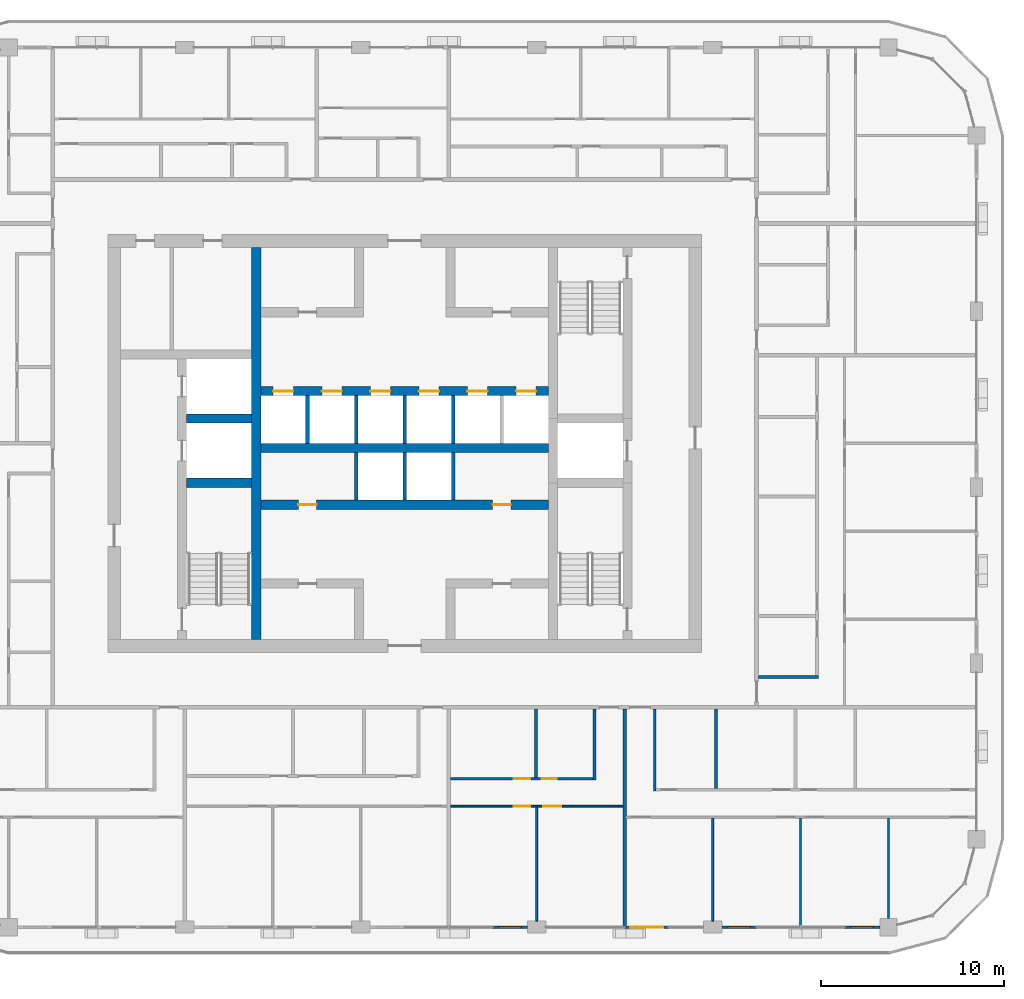
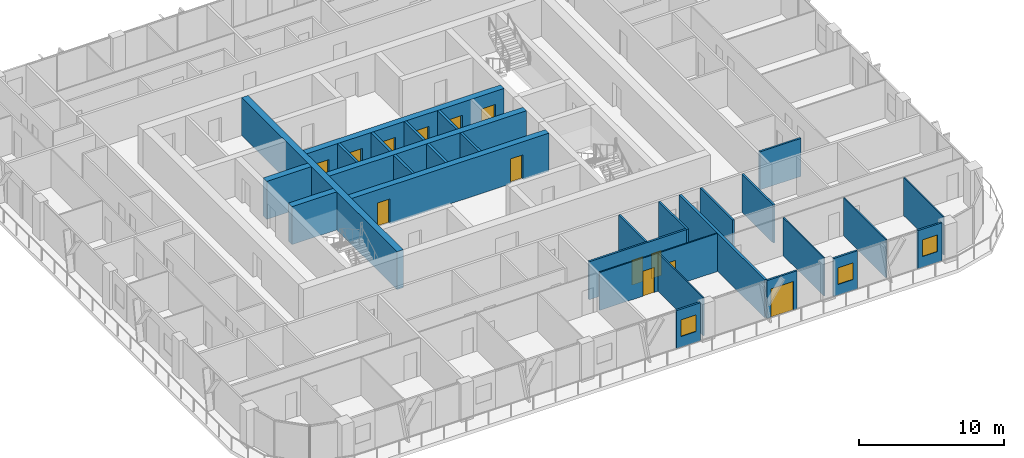
# One storey, part 11 of 21: 29 walls, 13 doors, 3 windows, 16 openings.
"""IFC4 building model written with IfcOpenShell, lengths in metres."""

from ifc_helpers import new_model, si_unit, direction, frame, frame_2d, origin, place, context, subcontext, project, spatial, rectangle, extrude, material, layer, layer_set, type_object, element, fill, save


model = new_model("IFC4")

# Units and contexts
model_context = context("Model", 3, precision=1e-05, world=origin(), true_north=direction((0.0, 1.0)))
body_context = subcontext(model_context, "Body", "Model", "MODEL_VIEW")
ifc_project = project(units=[si_unit("LENGTHUNIT", "METRE"), si_unit("AREAUNIT", "SQUARE_METRE"), si_unit("VOLUMEUNIT", "CUBIC_METRE"), si_unit("PLANEANGLEUNIT", "RADIAN"), si_unit("MASSUNIT", "GRAM", prefix="KILO")], contexts=[model_context])

# Site, building, storey
site_placement = place(None, origin())
site = spatial("IfcSite", under=ifc_project, at=site_placement, CompositionType="ELEMENT")
building_placement = place(site_placement, origin())
building = spatial("IfcBuilding", under=site, at=building_placement, Name="Madar Terraces", CompositionType="ELEMENT")
storey_placement = place(building_placement, frame((0.0, 0.0, 185.89990234375)))
storey = spatial("IfcBuildingStorey", under=building, at=storey_placement, Name="L48", CompositionType="ELEMENT", Elevation=185.89990234375)

# Walls
ifc_material_1 = material(Name="Concrete C60/75", Category="concrete")
ifc_layer_1 = layer(ifc_material_1, 0.5)
ifc_layer_set_1 = layer_set([ifc_layer_1], Name="Concrete C60/75 (CIW4 RC wall 500)")
wall_type_1 = type_object("IfcWallType", Name="CIW4 RC wall 500", PredefinedType="SHEAR", material=ifc_layer_set_1)
wall_1_placement = place(storey_placement, frame((23.10009765625, 15.699951171875, 0.0), z_axis=(0.0, 0.0, 1.0), x_axis=(0.0, 1.0, 0.0)))
element("IfcWall", 1, at=wall_1_placement, inside=storey, type_object=wall_type_1, Name="CORE SHAFT WALL", PredefinedType="SHEAR", context=body_context, shape_type="SweptSolid", body=[
    extrude(rectangle(XDim=21.400146484375, YDim=0.5, at=frame_2d((10.7001953125, 0.0))), origin(), (0.0, 0.0, 1.0), 3.2001953125),
])
for number, where, z_axis, x_axis, name in (
    (2, (19.300048828125, 24.25, 0.0), (0.0, 0.0, 1.0), (1.0, 0.0, 0.0), "CORE SHAFT WALL"),
    (3, (19.300048828125, 27.75, 0.0), (0.0, 0.0, 1.0), (1.0, 0.0, 0.0), "CORE SHAFT WALL"),
):
    element("IfcWall", number, at=place(storey_placement, frame(where, z_axis=z_axis, x_axis=x_axis)), inside=storey, type_object=wall_type_1, Name=name, PredefinedType="SHEAR", context=body_context, shape_type="SweptSolid", body=[
        extrude(rectangle(XDim=3.550048828125, YDim=0.5, at=frame_2d((1.77490234375, 0.0))), origin(), (0.0, 0.0, 1.0), 3.2001953125),
    ])

# Wall, openings, doors
wall_2_placement = place(storey_placement, frame((23.35009765625, 23.050048828125, 0.0), z_axis=(0.0, 0.0, 1.0), x_axis=(1.0, 0.0, 0.0)))
wall_2 = element("IfcWall", 4, at=wall_2_placement, inside=storey, type_object=wall_type_1, Name="CORE SHAFT WALL", PredefinedType="SHEAR", context=body_context, shape_type="SweptSolid", body=[
    extrude(rectangle(XDim=15.699951171875, YDim=0.5, at=frame_2d((7.85009765625, 0.0))), origin(), (0.0, 0.0, 1.0), 3.2001953125),
])
opening_1_placement = place(wall_2_placement, frame((2.050048828125, 0.0, 0.0)))
opening_1 = element("IfcOpeningElement", 5, at=opening_1_placement, cuts=wall_2, Name="Opening KD2", PredefinedType="OPENING", context=body_context, shape_type="SweptSolid", body=[
    extrude(rectangle(XDim=1.0, YDim=2.10009765625, at=frame_2d((0.5, 1.050048828125))), frame((0.0, 0.260009765625, 0.0), z_axis=(0.0, -1.0, 0.0), x_axis=(1.0, 0.0, 0.0)), (0.0, 0.0, 1.0), 0.52001953125),
])
opening_2_placement = place(wall_2_placement, frame((12.64990234375, 0.0, 0.0)))
opening_2 = element("IfcOpeningElement", 6, at=opening_2_placement, cuts=wall_2, Name="Opening KD2", PredefinedType="OPENING", context=body_context, shape_type="SweptSolid", body=[
    extrude(rectangle(XDim=1.0, YDim=2.10009765625, at=frame_2d((0.5, 1.050048828125))), frame((0.0, 0.260009765625, 0.0), z_axis=(0.0, -1.0, 0.0), x_axis=(1.0, 0.0, 0.0)), (0.0, 0.0, 1.0), 0.52001953125),
])
ifc_material_2 = material(Name="Steel door leaf", Category="steel")
door_type_1 = type_object("IfcDoorType", Name="Service room door 1000 x 2100", OperationType="NOTDEFINED", PredefinedType="DOOR", material=ifc_material_2)
door_1_placement = place(opening_1_placement, frame((1.0, 0.0, 0.0), z_axis=(0.0, 0.0, 1.0), x_axis=(-1.0, 0.0, 0.0)))
door_1 = element("IfcDoor", 7, at=door_1_placement, inside=storey, type_object=door_type_1, Name="SERVICE ROOM DOOR", OperationType="SINGLE_SWING_LEFT", OverallHeight=2.10009765625, OverallWidth=1.0, PredefinedType="DOOR", context=body_context, shape_type="SweptSolid", body=[
    extrude(rectangle(XDim=1.0, YDim=2.10009765625, at=frame_2d((0.5, 1.050048828125))), frame((0.0, 0.02490234375, 0.0), z_axis=(0.0, -1.0, 0.0), x_axis=(1.0, 0.0, 0.0)), (0.0, 0.0, 1.0), 0.050048828125),
])
fill(opening_1, door_1)
door_2_placement = place(opening_2_placement, frame((1.0, 0.0, 0.0), z_axis=(0.0, 0.0, 1.0), x_axis=(-1.0, 0.0, 0.0)))
door_2 = element("IfcDoor", 8, at=door_2_placement, inside=storey, type_object=door_type_1, Name="SERVICE ROOM DOOR", OperationType="SINGLE_SWING_RIGHT", OverallHeight=2.10009765625, OverallWidth=1.0, PredefinedType="DOOR", context=body_context, shape_type="SweptSolid", body=[
    extrude(rectangle(XDim=1.0, YDim=2.10009765625, at=frame_2d((0.5, 1.050048828125))), frame((0.0, 0.02490234375, 0.0), z_axis=(0.0, -1.0, 0.0), x_axis=(1.0, 0.0, 0.0)), (0.0, 0.0, 1.0), 0.050048828125),
])
fill(opening_2, door_2)

# Wall
wall_3_placement = place(storey_placement, frame((23.35009765625, 26.14990234375, 0.0), z_axis=(0.0, 0.0, 1.0), x_axis=(1.0, 0.0, 0.0)))
element("IfcWall", 9, at=wall_3_placement, inside=storey, type_object=wall_type_1, Name="CORE SHAFT WALL", PredefinedType="SHEAR", context=body_context, shape_type="SweptSolid", body=[
    extrude(rectangle(XDim=15.699951171875, YDim=0.5, at=frame_2d((7.85009765625, 0.0))), origin(), (0.0, 0.0, 1.0), 3.2001953125),
])

# Wall, openings, doors
wall_4_placement = place(storey_placement, frame((23.35009765625, 29.25, 0.0), z_axis=(0.0, 0.0, 1.0), x_axis=(1.0, 0.0, 0.0)))
wall_4 = element("IfcWall", 10, at=wall_4_placement, inside=storey, type_object=wall_type_1, Name="CORE SHAFT WALL", PredefinedType="SHEAR", context=body_context, shape_type="SweptSolid", body=[
    extrude(rectangle(XDim=15.699951171875, YDim=0.5, at=frame_2d((7.85009765625, 0.0))), origin(), (0.0, 0.0, 1.0), 3.2001953125),
])
opening_3_placement = place(wall_4_placement, frame((0.675048828125, 0.0, 0.0)))
opening_3 = element("IfcOpeningElement", 11, at=opening_3_placement, cuts=wall_4, Name="Opening LD", PredefinedType="OPENING", context=body_context, shape_type="SweptSolid", body=[
    extrude(rectangle(XDim=1.10009765625, YDim=2.10009765625, at=frame_2d((0.550048828125, 1.050048828125))), frame((0.0, 0.260009765625, 0.0), z_axis=(0.0, -1.0, 0.0), x_axis=(1.0, 0.0, 0.0)), (0.0, 0.0, 1.0), 0.52001953125),
])
opening_4_placement = place(wall_4_placement, frame((3.324951171875, 0.0, 0.0)))
opening_4 = element("IfcOpeningElement", 12, at=opening_4_placement, cuts=wall_4, Name="Opening LD", PredefinedType="OPENING", context=body_context, shape_type="SweptSolid", body=[
    extrude(rectangle(XDim=1.10009765625, YDim=2.10009765625, at=frame_2d((0.550048828125, 1.050048828125))), frame((0.0, 0.260009765625, 0.0), z_axis=(0.0, -1.0, 0.0), x_axis=(1.0, 0.0, 0.0)), (0.0, 0.0, 1.0), 0.52001953125),
])
opening_5_placement = place(wall_4_placement, frame((5.97509765625, 0.0, 0.0)))
opening_5 = element("IfcOpeningElement", 13, at=opening_5_placement, cuts=wall_4, Name="Opening LD", PredefinedType="OPENING", context=body_context, shape_type="SweptSolid", body=[
    extrude(rectangle(XDim=1.10009765625, YDim=2.10009765625, at=frame_2d((0.550048828125, 1.050048828125))), frame((0.0, 0.260009765625, 0.0), z_axis=(0.0, -1.0, 0.0), x_axis=(1.0, 0.0, 0.0)), (0.0, 0.0, 1.0), 0.52001953125),
])
opening_6_placement = place(wall_4_placement, frame((8.625, 0.0, 0.0)))
opening_6 = element("IfcOpeningElement", 14, at=opening_6_placement, cuts=wall_4, Name="Opening LD", PredefinedType="OPENING", context=body_context, shape_type="SweptSolid", body=[
    extrude(rectangle(XDim=1.10009765625, YDim=2.10009765625, at=frame_2d((0.550048828125, 1.050048828125))), frame((0.0, 0.260009765625, 0.0), z_axis=(0.0, -1.0, 0.0), x_axis=(1.0, 0.0, 0.0)), (0.0, 0.0, 1.0), 0.52001953125),
])
opening_7_placement = place(wall_4_placement, frame((11.27490234375, 0.0, 0.0)))
opening_7 = element("IfcOpeningElement", 15, at=opening_7_placement, cuts=wall_4, Name="Opening LD", PredefinedType="OPENING", context=body_context, shape_type="SweptSolid", body=[
    extrude(rectangle(XDim=1.10009765625, YDim=2.10009765625, at=frame_2d((0.550048828125, 1.050048828125))), frame((0.0, 0.260009765625, 0.0), z_axis=(0.0, -1.0, 0.0), x_axis=(1.0, 0.0, 0.0)), (0.0, 0.0, 1.0), 0.52001953125),
])
opening_8_placement = place(wall_4_placement, frame((13.925048828125, 0.0, 0.0)))
opening_8 = element("IfcOpeningElement", 16, at=opening_8_placement, cuts=wall_4, Name="Opening LD", PredefinedType="OPENING", context=body_context, shape_type="SweptSolid", body=[
    extrude(rectangle(XDim=1.10009765625, YDim=2.10009765625, at=frame_2d((0.550048828125, 1.050048828125))), frame((0.0, 0.260009765625, 0.0), z_axis=(0.0, -1.0, 0.0), x_axis=(1.0, 0.0, 0.0)), (0.0, 0.0, 1.0), 0.52001953125),
])
ifc_material_3 = material(Name="Stainless steel panel", Category="steel")
door_type_2 = type_object("IfcDoorType", Name="Lift landing door 1100 x 2100", OperationType="DOUBLE_DOOR_SLIDING", PredefinedType="DOOR", material=ifc_material_3)
door_3_placement = place(opening_3_placement, origin())
door_3 = element("IfcDoor", 17, at=door_3_placement, inside=storey, type_object=door_type_2, Name="LIFT LANDING DOOR", OperationType="DOUBLE_DOOR_SLIDING", OverallHeight=2.10009765625, OverallWidth=1.10009765625, PredefinedType="DOOR", context=body_context, shape_type="SweptSolid", body=[
    extrude(rectangle(XDim=1.10009765625, YDim=2.10009765625, at=frame_2d((0.550048828125, 1.050048828125))), frame((0.0, 0.02490234375, 0.0), z_axis=(0.0, -1.0, 0.0), x_axis=(1.0, 0.0, 0.0)), (0.0, 0.0, 1.0), 0.050048828125),
])
fill(opening_3, door_3)
door_4_placement = place(opening_4_placement, origin())
door_4 = element("IfcDoor", 18, at=door_4_placement, inside=storey, type_object=door_type_2, Name="LIFT LANDING DOOR", OperationType="DOUBLE_DOOR_SLIDING", OverallHeight=2.10009765625, OverallWidth=1.10009765625, PredefinedType="DOOR", context=body_context, shape_type="SweptSolid", body=[
    extrude(rectangle(XDim=1.10009765625, YDim=2.10009765625, at=frame_2d((0.550048828125, 1.050048828125))), frame((0.0, 0.02490234375, 0.0), z_axis=(0.0, -1.0, 0.0), x_axis=(1.0, 0.0, 0.0)), (0.0, 0.0, 1.0), 0.050048828125),
])
fill(opening_4, door_4)
door_5_placement = place(opening_5_placement, origin())
door_5 = element("IfcDoor", 19, at=door_5_placement, inside=storey, type_object=door_type_2, Name="LIFT LANDING DOOR", OperationType="DOUBLE_DOOR_SLIDING", OverallHeight=2.10009765625, OverallWidth=1.10009765625, PredefinedType="DOOR", context=body_context, shape_type="SweptSolid", body=[
    extrude(rectangle(XDim=1.10009765625, YDim=2.10009765625, at=frame_2d((0.550048828125, 1.050048828125))), frame((0.0, 0.02490234375, 0.0), z_axis=(0.0, -1.0, 0.0), x_axis=(1.0, 0.0, 0.0)), (0.0, 0.0, 1.0), 0.050048828125),
])
fill(opening_5, door_5)
door_6_placement = place(opening_6_placement, origin())
door_6 = element("IfcDoor", 20, at=door_6_placement, inside=storey, type_object=door_type_2, Name="LIFT LANDING DOOR", OperationType="DOUBLE_DOOR_SLIDING", OverallHeight=2.10009765625, OverallWidth=1.10009765625, PredefinedType="DOOR", context=body_context, shape_type="SweptSolid", body=[
    extrude(rectangle(XDim=1.10009765625, YDim=2.10009765625, at=frame_2d((0.550048828125, 1.050048828125))), frame((0.0, 0.02490234375, 0.0), z_axis=(0.0, -1.0, 0.0), x_axis=(1.0, 0.0, 0.0)), (0.0, 0.0, 1.0), 0.050048828125),
])
fill(opening_6, door_6)
door_7_placement = place(opening_7_placement, origin())
door_7 = element("IfcDoor", 21, at=door_7_placement, inside=storey, type_object=door_type_2, Name="LIFT LANDING DOOR", OperationType="DOUBLE_DOOR_SLIDING", OverallHeight=2.10009765625, OverallWidth=1.10009765625, PredefinedType="DOOR", context=body_context, shape_type="SweptSolid", body=[
    extrude(rectangle(XDim=1.10009765625, YDim=2.10009765625, at=frame_2d((0.550048828125, 1.050048828125))), frame((0.0, 0.02490234375, 0.0), z_axis=(0.0, -1.0, 0.0), x_axis=(1.0, 0.0, 0.0)), (0.0, 0.0, 1.0), 0.050048828125),
])
fill(opening_7, door_7)
door_8_placement = place(opening_8_placement, origin())
door_8 = element("IfcDoor", 22, at=door_8_placement, inside=storey, type_object=door_type_2, Name="LIFT LANDING DOOR", OperationType="DOUBLE_DOOR_SLIDING", OverallHeight=2.10009765625, OverallWidth=1.10009765625, PredefinedType="DOOR", context=body_context, shape_type="SweptSolid", body=[
    extrude(rectangle(XDim=1.10009765625, YDim=2.10009765625, at=frame_2d((0.550048828125, 1.050048828125))), frame((0.0, 0.02490234375, 0.0), z_axis=(0.0, -1.0, 0.0), x_axis=(1.0, 0.0, 0.0)), (0.0, 0.0, 1.0), 0.050048828125),
])
fill(opening_8, door_8)

# Walls
ifc_material_4 = material(Name="Concrete C40/50", Category="concrete")
ifc_layer_2 = layer(ifc_material_4, 0.199951171875)
ifc_layer_set_2 = layer_set([ifc_layer_2], Name="Core shaft dividing wall 200 C40/50")
wall_type_2 = type_object("IfcWallType", Name="Core shaft dividing wall 200 C40/50", PredefinedType="SOLIDWALL", material=ifc_layer_set_2)
wall_5_placement = place(storey_placement, frame((25.89990234375, 26.39990234375, 0.0), z_axis=(0.0, 0.0, 1.0), x_axis=(0.0, 1.0, 0.0)))
element("IfcWall", 23, at=wall_5_placement, inside=storey, type_object=wall_type_2, Name="SHAFT DIVIDING WALL", PredefinedType="SOLIDWALL", context=body_context, shape_type="SweptSolid", body=[
    extrude(rectangle(XDim=2.60009765625, YDim=0.199951171875, at=frame_2d((1.300048828125, 0.0))), origin(), (0.0, 0.0, 1.0), 3.2001953125),
])
wall_6_placement = place(storey_placement, frame((28.550048828125, 23.300048828125, 0.0), z_axis=(0.0, 0.0, 1.0), x_axis=(0.0, 1.0, 0.0)))
element("IfcWall", 24, at=wall_6_placement, inside=storey, type_object=wall_type_2, Name="SHAFT DIVIDING WALL", PredefinedType="SOLIDWALL", context=body_context, shape_type="SweptSolid", body=[
    extrude(rectangle(XDim=2.599853515625, YDim=0.199951171875, at=frame_2d((1.2998046875, 0.0))), origin(), (0.0, 0.0, 1.0), 3.2001953125),
])
wall_7_placement = place(storey_placement, frame((28.550048828125, 26.39990234375, 0.0), z_axis=(0.0, 0.0, 1.0), x_axis=(0.0, 1.0, 0.0)))
element("IfcWall", 25, at=wall_7_placement, inside=storey, type_object=wall_type_2, Name="SHAFT DIVIDING WALL", PredefinedType="SOLIDWALL", context=body_context, shape_type="SweptSolid", body=[
    extrude(rectangle(XDim=2.60009765625, YDim=0.199951171875, at=frame_2d((1.300048828125, 0.0))), origin(), (0.0, 0.0, 1.0), 3.2001953125),
])
wall_8_placement = place(storey_placement, frame((31.199951171875, 23.300048828125, 0.0), z_axis=(0.0, 0.0, 1.0), x_axis=(0.0, 1.0, 0.0)))
element("IfcWall", 26, at=wall_8_placement, inside=storey, type_object=wall_type_2, Name="SHAFT DIVIDING WALL", PredefinedType="SOLIDWALL", context=body_context, shape_type="SweptSolid", body=[
    extrude(rectangle(XDim=2.599853515625, YDim=0.199951171875, at=frame_2d((1.2998046875, 0.0))), origin(), (0.0, 0.0, 1.0), 3.2001953125),
])
wall_9_placement = place(storey_placement, frame((31.199951171875, 26.39990234375, 0.0), z_axis=(0.0, 0.0, 1.0), x_axis=(0.0, 1.0, 0.0)))
element("IfcWall", 27, at=wall_9_placement, inside=storey, type_object=wall_type_2, Name="SHAFT DIVIDING WALL", PredefinedType="SOLIDWALL", context=body_context, shape_type="SweptSolid", body=[
    extrude(rectangle(XDim=2.60009765625, YDim=0.199951171875, at=frame_2d((1.300048828125, 0.0))), origin(), (0.0, 0.0, 1.0), 3.2001953125),
])
wall_10_placement = place(storey_placement, frame((33.85009765625, 23.300048828125, 0.0), z_axis=(0.0, 0.0, 1.0), x_axis=(0.0, 1.0, 0.0)))
element("IfcWall", 28, at=wall_10_placement, inside=storey, type_object=wall_type_2, Name="SHAFT DIVIDING WALL", PredefinedType="SOLIDWALL", context=body_context, shape_type="SweptSolid", body=[
    extrude(rectangle(XDim=2.599853515625, YDim=0.199951171875, at=frame_2d((1.2998046875, 0.0))), origin(), (0.0, 0.0, 1.0), 3.2001953125),
])
wall_11_placement = place(storey_placement, frame((33.85009765625, 26.39990234375, 0.0), z_axis=(0.0, 0.0, 1.0), x_axis=(0.0, 1.0, 0.0)))
element("IfcWall", 29, at=wall_11_placement, inside=storey, type_object=wall_type_2, Name="SHAFT DIVIDING WALL", PredefinedType="SOLIDWALL", context=body_context, shape_type="SweptSolid", body=[
    extrude(rectangle(XDim=2.60009765625, YDim=0.199951171875, at=frame_2d((1.300048828125, 0.0))), origin(), (0.0, 0.0, 1.0), 3.2001953125),
])

# Wall, opening, window
ifc_material_5 = material(Name="Aluminium composite panel, black, over insulated backing", Category="aluminium")
ifc_layer_3 = layer(ifc_material_5, 0.14990234375)
ifc_layer_set_3 = layer_set([ifc_layer_3], Name="Facade bay panel 150")
wall_type_3 = type_object("IfcWallType", Name="Facade bay panel 150", PredefinedType="SOLIDWALL", material=ifc_layer_set_3)
wall_12_placement = place(storey_placement, frame((36.0, 0.0, 0.0), z_axis=(0.0, 0.0, 1.0), x_axis=(1.0, 0.0, 0.0)))
wall_12 = element("IfcWall", 30, at=wall_12_placement, inside=storey, type_object=wall_type_3, Name="Facade bay panel", PredefinedType="SOLIDWALL", context=body_context, shape_type="SweptSolid", body=[
    extrude(rectangle(XDim=1.89990234375, YDim=0.14990234375, at=frame_2d((0.949951171875, 0.0))), origin(), (0.0, 0.0, 1.0), 3.2001953125),
])
opening_9_placement = place(wall_12_placement, frame((0.35009765625, 0.0, 0.89990234375)))
opening_9 = element("IfcOpeningElement", 31, at=opening_9_placement, cuts=wall_12, Name="Opening W1", PredefinedType="OPENING", context=body_context, shape_type="SweptSolid", body=[
    extrude(rectangle(XDim=1.199951171875, YDim=1.39990234375, at=frame_2d((0.60009765625, 0.699951171875))), frame((0.0, 0.0849609375, 0.0), z_axis=(0.0, -1.0, 0.0), x_axis=(1.0, 0.0, 0.0)), (0.0, 0.0, 1.0), 0.169921875),
])
ifc_material_6 = material(Name="Glass, clear, with black aluminium frame", Category="aluminium")
window_type = type_object("IfcWindowType", Name="Vent window 1200 x 1400", PartitioningType="SINGLE_PANEL", PredefinedType="WINDOW", material=ifc_material_6)
window_1_placement = place(opening_9_placement, origin())
window_1 = element("IfcWindow", 32, at=window_1_placement, inside=storey, type_object=window_type, Name="Operable vent window", OverallHeight=1.39990234375, OverallWidth=1.199951171875, PartitioningType="SINGLE_PANEL", PredefinedType="WINDOW", context=body_context, shape_type="SweptSolid", body=[
    extrude(rectangle(XDim=1.199951171875, YDim=1.39990234375, at=frame_2d((0.60009765625, 0.699951171875))), frame((0.0, 0.030029296875, 0.0), z_axis=(0.0, -1.0, 0.0), x_axis=(1.0, 0.0, 0.0)), (0.0, 0.0, 1.0), 0.06005859375),
])
fill(opening_9, window_1)

# Wall, opening, door
wall_13_placement = place(storey_placement, frame((43.199951171875, 0.0, 0.0), z_axis=(0.0, 0.0, 1.0), x_axis=(1.0, 0.0, 0.0)))
wall_13 = element("IfcWall", 33, at=wall_13_placement, inside=storey, type_object=wall_type_3, Name="Facade bay panel", PredefinedType="SOLIDWALL", context=body_context, shape_type="SweptSolid", body=[
    extrude(rectangle(XDim=2.400146484375, YDim=0.14990234375, at=frame_2d((1.2001953125, 0.0))), origin(), (0.0, 0.0, 1.0), 3.2001953125),
])
opening_10_placement = place(wall_13_placement, frame((0.300048828125, 0.0, 0.0)))
opening_10 = element("IfcOpeningElement", 34, at=opening_10_placement, cuts=wall_13, Name="Opening ED1", PredefinedType="OPENING", context=body_context, shape_type="SweptSolid", body=[
    extrude(rectangle(XDim=1.800048828125, YDim=2.39990234375, at=frame_2d((0.89990234375, 1.199951171875))), frame((0.0, 0.0849609375, 0.0), z_axis=(0.0, -1.0, 0.0), x_axis=(1.0, 0.0, 0.0)), (0.0, 0.0, 1.0), 0.169921875),
])
ifc_material_7 = material(Name="Glass, clear, with black aluminium frame", Category="aluminium")
door_type_3 = type_object("IfcDoorType", Name="Balcony and terrace sliding door 1800 x 2400", OperationType="SLIDING_TO_LEFT", PredefinedType="DOOR", material=ifc_material_7)
door_9_placement = place(opening_10_placement, origin())
door_9 = element("IfcDoor", 35, at=door_9_placement, inside=storey, type_object=door_type_3, Name="Balcony door", OperationType="SLIDING_TO_LEFT", OverallHeight=2.39990234375, OverallWidth=1.800048828125, PredefinedType="DOOR", context=body_context, shape_type="SweptSolid", body=[
    extrude(rectangle(XDim=1.800048828125, YDim=2.39990234375, at=frame_2d((0.89990234375, 1.199951171875))), frame((0.0, 0.02490234375, 0.0), z_axis=(0.0, -1.0, 0.0), x_axis=(1.0, 0.0, 0.0)), (0.0, 0.0, 1.0), 0.050048828125),
])
fill(opening_10, door_9)

# Wall, opening, window
wall_14_placement = place(storey_placement, frame((48.5, 0.0, 0.0), z_axis=(0.0, 0.0, 1.0), x_axis=(1.0, 0.0, 0.0)))
wall_14 = element("IfcWall", 36, at=wall_14_placement, inside=storey, type_object=wall_type_3, Name="Facade bay panel", PredefinedType="SOLIDWALL", context=body_context, shape_type="SweptSolid", body=[
    extrude(rectangle(XDim=1.89990234375, YDim=0.14990234375, at=frame_2d((0.949951171875, 0.0))), origin(), (0.0, 0.0, 1.0), 3.2001953125),
])
opening_11_placement = place(wall_14_placement, frame((0.35009765625, 0.0, 0.89990234375)))
opening_11 = element("IfcOpeningElement", 37, at=opening_11_placement, cuts=wall_14, Name="Opening W1", PredefinedType="OPENING", context=body_context, shape_type="SweptSolid", body=[
    extrude(rectangle(XDim=1.199951171875, YDim=1.39990234375, at=frame_2d((0.60009765625, 0.699951171875))), frame((0.0, 0.0849609375, 0.0), z_axis=(0.0, -1.0, 0.0), x_axis=(1.0, 0.0, 0.0)), (0.0, 0.0, 1.0), 0.169921875),
])
window_2_placement = place(opening_11_placement, origin())
window_2 = element("IfcWindow", 38, at=window_2_placement, inside=storey, type_object=window_type, Name="Operable vent window", OverallHeight=1.39990234375, OverallWidth=1.199951171875, PartitioningType="SINGLE_PANEL", PredefinedType="WINDOW", context=body_context, shape_type="SweptSolid", body=[
    extrude(rectangle(XDim=1.199951171875, YDim=1.39990234375, at=frame_2d((0.60009765625, 0.699951171875))), frame((0.0, 0.030029296875, 0.0), z_axis=(0.0, -1.0, 0.0), x_axis=(1.0, 0.0, 0.0)), (0.0, 0.0, 1.0), 0.06005859375),
])
fill(opening_11, window_2)

wall_15_placement = place(storey_placement, frame((55.199951171875, 0.0, 0.0), z_axis=(0.0, 0.0, 1.0), x_axis=(1.0, 0.0, 0.0)))
wall_15 = element("IfcWall", 39, at=wall_15_placement, inside=storey, type_object=wall_type_3, Name="Facade bay panel", PredefinedType="SOLIDWALL", context=body_context, shape_type="SweptSolid", body=[
    extrude(rectangle(XDim=1.925048828125, YDim=0.14990234375, at=frame_2d((0.96240234375, 0.0))), origin(), (0.0, 0.0, 1.0), 3.2001953125),
])
opening_12_placement = place(wall_15_placement, frame((0.362548828125, 0.0, 0.89990234375)))
opening_12 = element("IfcOpeningElement", 40, at=opening_12_placement, cuts=wall_15, Name="Opening W1", PredefinedType="OPENING", context=body_context, shape_type="SweptSolid", body=[
    extrude(rectangle(XDim=1.199951171875, YDim=1.39990234375, at=frame_2d((0.60009765625, 0.699951171875))), frame((0.0, 0.0849609375, 0.0), z_axis=(0.0, -1.0, 0.0), x_axis=(1.0, 0.0, 0.0)), (0.0, 0.0, 1.0), 0.169921875),
])
window_3_placement = place(opening_12_placement, origin())
window_3 = element("IfcWindow", 41, at=window_3_placement, inside=storey, type_object=window_type, Name="Operable vent window", OverallHeight=1.39990234375, OverallWidth=1.199951171875, PartitioningType="SINGLE_PANEL", PredefinedType="WINDOW", context=body_context, shape_type="SweptSolid", body=[
    extrude(rectangle(XDim=1.199951171875, YDim=1.39990234375, at=frame_2d((0.60009765625, 0.699951171875))), frame((0.0, 0.030029296875, 0.0), z_axis=(0.0, -1.0, 0.0), x_axis=(1.0, 0.0, 0.0)), (0.0, 0.0, 1.0), 0.06005859375),
])
fill(opening_12, window_3)

# Wall
ifc_material_8 = material(Name="Gypsum board on steel studs", Category="steel")
ifc_layer_4 = layer(ifc_material_8, 0.10009765625)
ifc_layer_set_4 = layer_set([ifc_layer_4], Name="Flat partition 100")
wall_type_4 = type_object("IfcWallType", Name="Flat partition 100", PredefinedType="PARTITIONING", material=ifc_layer_set_4)
wall_16_placement = place(storey_placement, frame((38.39990234375, 6.550048828125, 0.0), z_axis=(0.0, 0.0, 1.0), x_axis=(0.0, -1.0, 0.0)))
element("IfcWall", 42, at=wall_16_placement, inside=storey, type_object=wall_type_4, Name="Flat partition 100", PredefinedType="PARTITIONING", context=body_context, shape_type="SweptSolid", body=[
    extrude(rectangle(XDim=6.22509765625, YDim=0.10009765625, at=frame_2d((3.112548828125, 0.0))), origin(), (0.0, 0.0, 1.0), 3.2001953125),
])

# Wall, openings, doors
wall_17_placement = place(storey_placement, frame((43.10009765625, 6.60009765625, 0.0), z_axis=(0.0, 0.0, 1.0), x_axis=(-1.0, 0.0, 0.0)))
wall_17 = element("IfcWall", 43, at=wall_17_placement, inside=storey, type_object=wall_type_4, Name="Flat partition 100", PredefinedType="PARTITIONING", context=body_context, shape_type="SweptSolid", body=[
    extrude(rectangle(XDim=9.400146484375, YDim=0.10009765625, at=frame_2d((4.7001953125, 0.0))), origin(), (0.0, 0.0, 1.0), 3.2001953125),
])
opening_13_placement = place(wall_17_placement, frame((3.35009765625, 0.0, 0.0)))
opening_13 = element("IfcOpeningElement", 44, at=opening_13_placement, cuts=wall_17, Name="Opening D3", PredefinedType="OPENING", context=body_context, shape_type="SweptSolid", body=[
    extrude(rectangle(XDim=1.0, YDim=2.10009765625, at=frame_2d((0.5, 1.050048828125))), frame((0.0, 0.06005859375, 0.0), z_axis=(0.0, -1.0, 0.0), x_axis=(1.0, 0.0, 0.0)), (0.0, 0.0, 1.0), 0.1201171875),
])
opening_14_placement = place(wall_17_placement, frame((5.050048828125, 0.0, 0.0)))
opening_14 = element("IfcOpeningElement", 45, at=opening_14_placement, cuts=wall_17, Name="Opening D2", PredefinedType="OPENING", context=body_context, shape_type="SweptSolid", body=[
    extrude(rectangle(XDim=0.89990234375, YDim=2.10009765625, at=frame_2d((0.449951171875, 1.050048828125))), frame((0.0, 0.06005859375, 0.0), z_axis=(0.0, -1.0, 0.0), x_axis=(1.0, 0.0, 0.0)), (0.0, 0.0, 1.0), 0.1201171875),
])
ifc_material_9 = material(Name="Timber door leaf", Category="wood")
door_type_4 = type_object("IfcDoorType", Name="Flat living room door 1000", OperationType="NOTDEFINED", PredefinedType="DOOR", material=ifc_material_9)
door_10_placement = place(opening_13_placement, origin())
door_10 = element("IfcDoor", 46, at=door_10_placement, inside=storey, type_object=door_type_4, Name="Flat living room door 1000", OperationType="SINGLE_SWING_RIGHT", OverallHeight=2.10009765625, OverallWidth=1.0, PredefinedType="DOOR", context=body_context, shape_type="SweptSolid", body=[
    extrude(rectangle(XDim=1.0, YDim=2.10009765625, at=frame_2d((0.5, 1.050048828125))), frame((0.0, 0.02490234375, 0.0), z_axis=(0.0, -1.0, 0.0), x_axis=(1.0, 0.0, 0.0)), (0.0, 0.0, 1.0), 0.050048828125),
])
fill(opening_13, door_10)
ifc_material_10 = material(Name="Timber door leaf", Category="wood")
door_type_5 = type_object("IfcDoorType", Name="Flat room door 900", OperationType="NOTDEFINED", PredefinedType="DOOR", material=ifc_material_10)
door_11_placement = place(opening_14_placement, origin())
door_11 = element("IfcDoor", 47, at=door_11_placement, inside=storey, type_object=door_type_5, Name="Flat room door 900", OperationType="SINGLE_SWING_LEFT", OverallHeight=2.10009765625, OverallWidth=0.89990234375, PredefinedType="DOOR", context=body_context, shape_type="SweptSolid", body=[
    extrude(rectangle(XDim=0.89990234375, YDim=2.10009765625, at=frame_2d((0.449951171875, 1.050048828125))), frame((0.0, 0.02490234375, 0.0), z_axis=(0.0, -1.0, 0.0), x_axis=(1.0, 0.0, 0.0)), (0.0, 0.0, 1.0), 0.050048828125),
])
fill(opening_14, door_11)

# Walls
wall_18_placement = place(storey_placement, frame((48.0, 5.949951171875, 0.0), z_axis=(0.0, 0.0, 1.0), x_axis=(0.0, -1.0, 0.0)))
element("IfcWall", 48, at=wall_18_placement, inside=storey, type_object=wall_type_4, Name="Flat partition 100", PredefinedType="PARTITIONING", context=body_context, shape_type="SweptSolid", body=[
    extrude(rectangle(XDim=5.625, YDim=0.10009765625, at=frame_2d((2.8125, 0.0))), origin(), (0.0, 0.0, 1.0), 3.2001953125),
])
wall_19_placement = place(storey_placement, frame((52.800048828125, 5.949951171875, 0.0), z_axis=(0.0, 0.0, 1.0), x_axis=(0.0, -1.0, 0.0)))
element("IfcWall", 49, at=wall_19_placement, inside=storey, type_object=wall_type_4, Name="Flat partition 100", PredefinedType="PARTITIONING", context=body_context, shape_type="SweptSolid", body=[
    extrude(rectangle(XDim=5.849853515625, YDim=0.10009765625, at=frame_2d((2.9248046875, 0.0))), origin(), (0.0, 0.0, 1.0), 3.2001953125),
])
wall_20_placement = place(storey_placement, frame((57.60009765625, 5.949951171875, 0.0), z_axis=(0.0, 0.0, 1.0), x_axis=(0.0, -1.0, 0.0)))
element("IfcWall", 50, at=wall_20_placement, inside=storey, type_object=wall_type_4, Name="Flat partition 100", PredefinedType="PARTITIONING", context=body_context, shape_type="SweptSolid", body=[
    extrude(rectangle(XDim=5.474853515625, YDim=0.10009765625, at=frame_2d((2.7373046875, 0.0))), origin(), (0.0, 0.0, 1.0), 3.2001953125),
])
ifc_material_11 = material(Name="Lightweight blockwork", Category="masonry")
ifc_layer_5 = layer(ifc_material_11, 0.199951171875)
ifc_layer_set_5 = layer_set([ifc_layer_5], Name="Flat party and entrance wall 200")
wall_type_5 = type_object("IfcWallType", Name="Flat party and entrance wall 200", PredefinedType="PARTITIONING", material=ifc_layer_set_5)
wall_21_placement = place(storey_placement, frame((43.199951171875, 11.89990234375, 0.0), z_axis=(0.0, 0.0, 1.0), x_axis=(0.0, -1.0, 0.0)))
element("IfcWall", 51, at=wall_21_placement, inside=storey, type_object=wall_type_5, Name="Flat party and entrance wall 200", PredefinedType="PARTITIONING", context=body_context, shape_type="SweptSolid", body=[
    extrude(rectangle(XDim=11.7998046875, YDim=0.199951171875, at=frame_2d((5.89990234375, 0.0))), origin(), (0.0, 0.0, 1.0), 3.2001953125),
])
ifc_material_12 = material(Name="Lightweight blockwork", Category="masonry")
ifc_layer_6 = layer(ifc_material_12, 0.14990234375)
ifc_layer_set_6 = layer_set([ifc_layer_6], Name="Flat wet-room partition 150")
wall_type_6 = type_object("IfcWallType", Name="Flat wet-room partition 150", PredefinedType="PARTITIONING", material=ifc_layer_set_6)
wall_22_placement = place(storey_placement, frame((38.364990234375, 11.89990234375, 0.0), z_axis=(0.0, 0.0, 1.0), x_axis=(0.0, -1.0, 0.0)))
element("IfcWall", 52, at=wall_22_placement, inside=storey, type_object=wall_type_6, Name="Flat wet-room partition 150", PredefinedType="PARTITIONING", context=body_context, shape_type="SweptSolid", body=[
    extrude(rectangle(XDim=3.724853515625, YDim=0.14990234375, at=frame_2d((1.8623046875, 0.0))), origin(), (0.0, 0.0, 1.0), 3.2001953125),
])
wall_23_placement = place(storey_placement, frame((41.550048828125, 11.89990234375, 0.0), z_axis=(0.0, 0.0, 1.0), x_axis=(0.0, -1.0, 0.0)))
element("IfcWall", 53, at=wall_23_placement, inside=storey, type_object=wall_type_6, Name="Flat wet-room partition 150", PredefinedType="PARTITIONING", context=body_context, shape_type="SweptSolid", body=[
    extrude(rectangle(XDim=3.875, YDim=0.14990234375, at=frame_2d((1.9375, 0.0))), origin(), (0.0, 0.0, 1.0), 3.2001953125),
])

# Wall, openings, doors
wall_24_placement = place(storey_placement, frame((33.699951171875, 8.10009765625, 0.0), z_axis=(0.0, 0.0, 1.0), x_axis=(1.0, 0.0, 0.0)))
wall_24 = element("IfcWall", 54, at=wall_24_placement, inside=storey, type_object=wall_type_6, Name="Flat wet-room partition 150", PredefinedType="PARTITIONING", context=body_context, shape_type="SweptSolid", body=[
    extrude(rectangle(XDim=7.775146484375, YDim=0.14990234375, at=frame_2d((3.8876953125, 0.0))), origin(), (0.0, 0.0, 1.0), 3.2001953125),
])
opening_15_placement = place(wall_24_placement, frame((4.989990234375, 0.0, 0.0)))
opening_15 = element("IfcOpeningElement", 55, at=opening_15_placement, cuts=wall_24, Name="Opening D4", PredefinedType="OPENING", context=body_context, shape_type="SweptSolid", body=[
    extrude(rectangle(XDim=0.800048828125, YDim=2.10009765625, at=frame_2d((0.39990234375, 1.050048828125))), frame((0.0, 0.0849609375, 0.0), z_axis=(0.0, -1.0, 0.0), x_axis=(1.0, 0.0, 0.0)), (0.0, 0.0, 1.0), 0.169921875),
])
opening_16_placement = place(wall_24_placement, frame((3.43994140625, 0.0, 0.0)))
opening_16 = element("IfcOpeningElement", 56, at=opening_16_placement, cuts=wall_24, Name="Opening D2", PredefinedType="OPENING", context=body_context, shape_type="SweptSolid", body=[
    extrude(rectangle(XDim=0.89990234375, YDim=2.10009765625, at=frame_2d((0.449951171875, 1.050048828125))), frame((0.0, 0.0849609375, 0.0), z_axis=(0.0, -1.0, 0.0), x_axis=(1.0, 0.0, 0.0)), (0.0, 0.0, 1.0), 0.169921875),
])
ifc_material_13 = material(Name="Timber door leaf", Category="wood")
door_type_6 = type_object("IfcDoorType", Name="Flat bathroom door 800", OperationType="NOTDEFINED", PredefinedType="DOOR", material=ifc_material_13)
door_12_placement = place(opening_15_placement, origin())
door_12 = element("IfcDoor", 57, at=door_12_placement, inside=storey, type_object=door_type_6, Name="Flat bathroom door 800", OperationType="SINGLE_SWING_LEFT", OverallHeight=2.10009765625, OverallWidth=0.800048828125, PredefinedType="DOOR", context=body_context, shape_type="SweptSolid", body=[
    extrude(rectangle(XDim=0.800048828125, YDim=2.10009765625, at=frame_2d((0.39990234375, 1.050048828125))), frame((0.0, 0.02490234375, 0.0), z_axis=(0.0, -1.0, 0.0), x_axis=(1.0, 0.0, 0.0)), (0.0, 0.0, 1.0), 0.050048828125),
])
fill(opening_15, door_12)
door_13_placement = place(opening_16_placement, origin())
door_13 = element("IfcDoor", 58, at=door_13_placement, inside=storey, type_object=door_type_5, Name="Flat room door 900", OperationType="SINGLE_SWING_RIGHT", OverallHeight=2.10009765625, OverallWidth=0.89990234375, PredefinedType="DOOR", context=body_context, shape_type="SweptSolid", body=[
    extrude(rectangle(XDim=0.89990234375, YDim=2.10009765625, at=frame_2d((0.449951171875, 1.050048828125))), frame((0.0, 0.02490234375, 0.0), z_axis=(0.0, -1.0, 0.0), x_axis=(1.0, 0.0, 0.0)), (0.0, 0.0, 1.0), 0.050048828125),
])
fill(opening_16, door_13)

# Walls
wall_25_placement = place(storey_placement, frame((48.182861328125, 11.89990234375, 0.0), z_axis=(0.0, 0.0, 1.0), x_axis=(0.0, -1.0, 0.0)))
element("IfcWall", 59, at=wall_25_placement, inside=storey, type_object=wall_type_6, Name="Flat wet-room partition 150", PredefinedType="PARTITIONING", context=body_context, shape_type="SweptSolid", body=[
    extrude(rectangle(XDim=4.324951171875, YDim=0.14990234375, at=frame_2d((2.16259765625, 0.0))), origin(), (0.0, 0.0, 1.0), 3.2001953125),
])
wall_26_placement = place(storey_placement, frame((44.85009765625, 11.89990234375, 0.0), z_axis=(0.0, 0.0, 1.0), x_axis=(0.0, -1.0, 0.0)))
element("IfcWall", 60, at=wall_26_placement, inside=storey, type_object=wall_type_6, Name="Flat wet-room partition 150", PredefinedType="PARTITIONING", context=body_context, shape_type="SweptSolid", body=[
    extrude(rectangle(XDim=4.474853515625, YDim=0.14990234375, at=frame_2d((2.2373046875, 0.0))), origin(), (0.0, 0.0, 1.0), 3.2001953125),
])
wall_27_placement = place(storey_placement, frame((50.5, 13.64990234375, 0.0), z_axis=(0.0, 0.0, 1.0), x_axis=(1.0, 0.0, 0.0)))
element("IfcWall", 61, at=wall_27_placement, inside=storey, type_object=wall_type_6, Name="Flat wet-room partition 150", PredefinedType="PARTITIONING", context=body_context, shape_type="SweptSolid", body=[
    extrude(rectangle(XDim=3.27490234375, YDim=0.14990234375, at=frame_2d((1.637451171875, 0.0))), origin(), (0.0, 0.0, 1.0), 3.2001953125),
])

save(model, "model.ifc")
